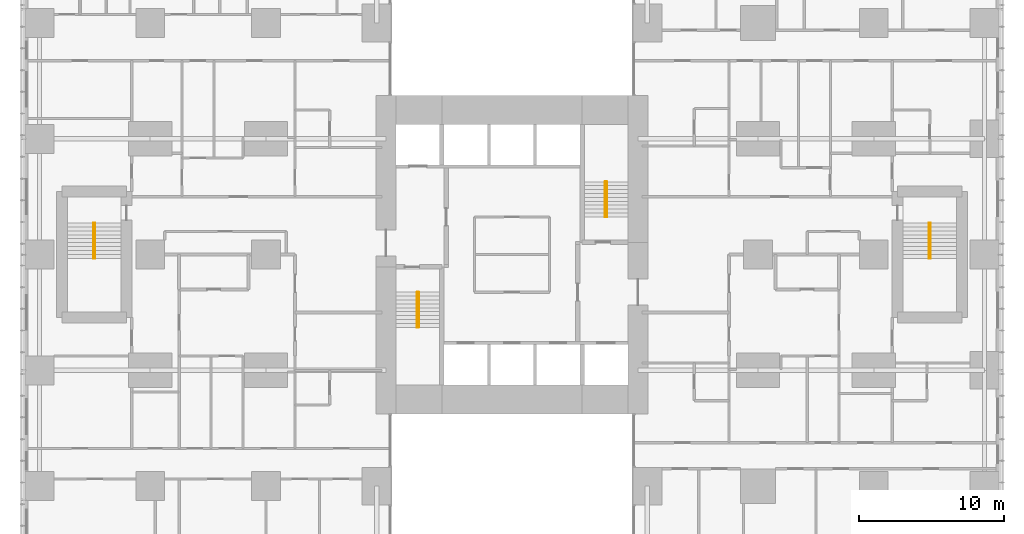
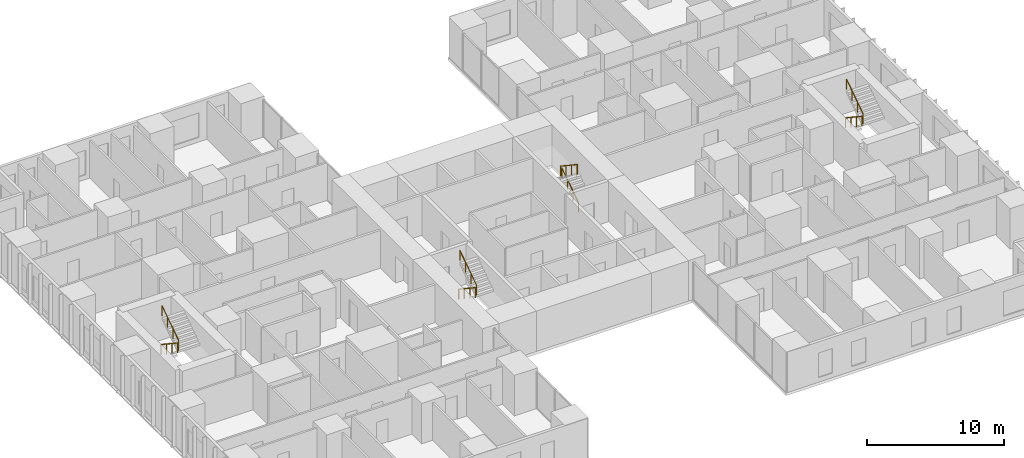
# One storey, part 20 of 20: 8 railings.
"""IFC4 building model written with IfcOpenShell, lengths in metres."""

from ifc_helpers import new_model, si_unit, direction, frame, origin, origin_2d, place, context, subcontext, project, spatial, circle, extrude, material, type_object, element, save


model = new_model("IFC4")

# Units and contexts
model_context = context("Model", 3, precision=1e-05, world=origin(), true_north=direction((0.0, 1.0)))
body_context = subcontext(model_context, "Body", "Model", "MODEL_VIEW")
ifc_project = project(units=[si_unit("LENGTHUNIT", "METRE"), si_unit("AREAUNIT", "SQUARE_METRE"), si_unit("VOLUMEUNIT", "CUBIC_METRE"), si_unit("PLANEANGLEUNIT", "RADIAN"), si_unit("MASSUNIT", "GRAM", prefix="KILO")], contexts=[model_context])

# Site, building, storey
site_placement = place(None, origin())
site = spatial("IfcSite", under=ifc_project, at=site_placement, CompositionType="ELEMENT")
building_placement = place(site_placement, origin())
building = spatial("IfcBuilding", under=site, at=building_placement, Name="Cleftline Residences", CompositionType="ELEMENT")
storey_placement = place(building_placement, frame((0.0, 0.0, 117.800048828125)))
storey = spatial("IfcBuildingStorey", under=building, at=storey_placement, Name="L30", CompositionType="ELEMENT", Elevation=117.800048828125)

# Railings
ifc_material = material(Name="Stainless steel", Category="steel")
railing_type = type_object("IfcRailingType", Name="HANDRAIL 900", PredefinedType="HANDRAIL", material=ifc_material)
railing_1_placement = place(storey_placement, frame((26.449951171875, 21.39990234375, 0.179931640625)))
element("IfcRailing", 1, at=railing_1_placement, inside=storey, type_object=railing_type, Name="Stair handrail", PredefinedType="HANDRAIL", context=body_context, shape_type="SweptSolid", body=[
    extrude(circle(Radius=0.02392578125, at=origin_2d()), frame((0.0, 0.0, 0.8759765625), z_axis=(0.0, -0.832024571796, 0.554738778101), x_axis=(1.0, 0.0, 0.0)), (0.0, 0.0, 1.0), 2.92041015625),
    extrude(circle(Radius=0.02099609375, at=origin_2d()), origin(), (0.0, 0.0, 1.0), 0.851806640625),
    extrude(circle(Radius=0.02099609375, at=origin_2d()), frame((0.0, -0.81005859375, 0.5400390625)), (0.0, 0.0, 1.0), 0.851806640625),
    extrude(circle(Radius=0.02099609375, at=origin_2d()), frame((0.0, -1.619873046875, 1.080078125)), (0.0, 0.0, 1.0), 0.851806640625),
    extrude(circle(Radius=0.02099609375, at=origin_2d()), frame((0.0, -2.429931640625, 1.6201171875)), (0.0, 0.0, 1.0), 0.851806640625),
])
railing_2_placement = place(storey_placement, frame((26.550048828125, 18.969970703125, 1.97998046875)))
element("IfcRailing", 2, at=railing_2_placement, inside=storey, type_object=railing_type, Name="Stair handrail", PredefinedType="HANDRAIL", context=body_context, shape_type="SweptSolid", body=[
    extrude(circle(Radius=0.02392578125, at=origin_2d()), frame((0.0, 0.0, 0.8759765625), z_axis=(0.0, 0.832063155534, 0.554680903946), x_axis=(-1.0, 0.0, 0.0)), (0.0, 0.0, 1.0), 2.92041015625),
    extrude(circle(Radius=0.02099609375, at=origin_2d()), origin(), (0.0, 0.0, 1.0), 0.851806640625),
    extrude(circle(Radius=0.02099609375, at=origin_2d()), frame((0.0, 0.81005859375, 0.5400390625)), (0.0, 0.0, 1.0), 0.851806640625),
    extrude(circle(Radius=0.02099609375, at=origin_2d()), frame((0.0, 1.619873046875, 1.079833984375)), (0.0, 0.0, 1.0), 0.851806640625),
    extrude(circle(Radius=0.02099609375, at=origin_2d()), frame((0.0, 2.429931640625, 1.619873046875)), (0.0, 0.0, 1.0), 0.851806640625),
])
railing_3_placement = place(storey_placement, frame((39.550048828125, 26.60009765625, 0.179931640625)))
element("IfcRailing", 3, at=railing_3_placement, inside=storey, type_object=railing_type, Name="Stair handrail", PredefinedType="HANDRAIL", context=body_context, shape_type="SweptSolid", body=[
    extrude(circle(Radius=0.02392578125, at=origin_2d()), frame((0.0, 0.0, 0.8759765625), z_axis=(0.0, 0.832024571796, 0.554738778101), x_axis=(-1.0, 0.0, 0.0)), (0.0, 0.0, 1.0), 2.92041015625),
    extrude(circle(Radius=0.02099609375, at=origin_2d()), origin(), (0.0, 0.0, 1.0), 0.851806640625),
    extrude(circle(Radius=0.02099609375, at=origin_2d()), frame((0.0, 0.81005859375, 0.5400390625)), (0.0, 0.0, 1.0), 0.851806640625),
    extrude(circle(Radius=0.02099609375, at=origin_2d()), frame((0.0, 1.619873046875, 1.080078125)), (0.0, 0.0, 1.0), 0.851806640625),
    extrude(circle(Radius=0.02099609375, at=origin_2d()), frame((0.0, 2.429931640625, 1.6201171875)), (0.0, 0.0, 1.0), 0.851806640625),
])
railing_4_placement = place(storey_placement, frame((39.449951171875, 29.030029296875, 1.97998046875)))
element("IfcRailing", 4, at=railing_4_placement, inside=storey, type_object=railing_type, Name="Stair handrail", PredefinedType="HANDRAIL", context=body_context, shape_type="SweptSolid", body=[
    extrude(circle(Radius=0.02392578125, at=origin_2d()), frame((0.0, 0.0, 0.8759765625), z_axis=(0.0, -0.832063155534, 0.554680903946), x_axis=(1.0, 0.0, 0.0)), (0.0, 0.0, 1.0), 2.92041015625),
    extrude(circle(Radius=0.02099609375, at=origin_2d()), origin(), (0.0, 0.0, 1.0), 0.851806640625),
    extrude(circle(Radius=0.02099609375, at=origin_2d()), frame((0.0, -0.81005859375, 0.5400390625)), (0.0, 0.0, 1.0), 0.851806640625),
    extrude(circle(Radius=0.02099609375, at=origin_2d()), frame((0.0, -1.619873046875, 1.079833984375)), (0.0, 0.0, 1.0), 0.851806640625),
    extrude(circle(Radius=0.02099609375, at=origin_2d()), frame((0.0, -2.429931640625, 1.619873046875)), (0.0, 0.0, 1.0), 0.851806640625),
])
railing_5_placement = place(storey_placement, frame((61.824951171875, 26.175048828125, 0.179931640625)))
element("IfcRailing", 5, at=railing_5_placement, inside=storey, type_object=railing_type, Name="Stair handrail", PredefinedType="HANDRAIL", context=body_context, shape_type="SweptSolid", body=[
    extrude(circle(Radius=0.02392578125, at=origin_2d()), frame((0.0, 0.0, 0.8759765625), z_axis=(0.0, -0.832024571796, 0.554738778101), x_axis=(1.0, 0.0, 0.0)), (0.0, 0.0, 1.0), 2.92041015625),
    extrude(circle(Radius=0.02099609375, at=origin_2d()), origin(), (0.0, 0.0, 1.0), 0.851806640625),
    extrude(circle(Radius=0.02099609375, at=origin_2d()), frame((0.0, -0.81005859375, 0.5400390625)), (0.0, 0.0, 1.0), 0.851806640625),
    extrude(circle(Radius=0.02099609375, at=origin_2d()), frame((0.0, -1.619873046875, 1.080078125)), (0.0, 0.0, 1.0), 0.851806640625),
    extrude(circle(Radius=0.02099609375, at=origin_2d()), frame((0.0, -2.429931640625, 1.6201171875)), (0.0, 0.0, 1.0), 0.851806640625),
])
railing_6_placement = place(storey_placement, frame((61.925048828125, 23.7451171875, 1.97998046875)))
element("IfcRailing", 6, at=railing_6_placement, inside=storey, type_object=railing_type, Name="Stair handrail", PredefinedType="HANDRAIL", context=body_context, shape_type="SweptSolid", body=[
    extrude(circle(Radius=0.02392578125, at=origin_2d()), frame((0.0, 0.0, 0.8759765625), z_axis=(0.0, 0.832063155534, 0.554680903946), x_axis=(-1.0, 0.0, 0.0)), (0.0, 0.0, 1.0), 2.92041015625),
    extrude(circle(Radius=0.02099609375, at=origin_2d()), origin(), (0.0, 0.0, 1.0), 0.851806640625),
    extrude(circle(Radius=0.02099609375, at=origin_2d()), frame((0.0, 0.81005859375, 0.5400390625)), (0.0, 0.0, 1.0), 0.851806640625),
    extrude(circle(Radius=0.02099609375, at=origin_2d()), frame((0.0, 1.619873046875, 1.079833984375)), (0.0, 0.0, 1.0), 0.851806640625),
    extrude(circle(Radius=0.02099609375, at=origin_2d()), frame((0.0, 2.429931640625, 1.619873046875)), (0.0, 0.0, 1.0), 0.851806640625),
])
railing_7_placement = place(storey_placement, frame((4.074951171875, 26.175048828125, 0.179931640625)))
element("IfcRailing", 7, at=railing_7_placement, inside=storey, type_object=railing_type, Name="Stair handrail", PredefinedType="HANDRAIL", context=body_context, shape_type="SweptSolid", body=[
    extrude(circle(Radius=0.02392578125, at=origin_2d()), frame((0.0, 0.0, 0.8759765625), z_axis=(0.0, -0.832024571796, 0.554738778101), x_axis=(1.0, 0.0, 0.0)), (0.0, 0.0, 1.0), 2.92041015625),
    extrude(circle(Radius=0.02099609375, at=origin_2d()), origin(), (0.0, 0.0, 1.0), 0.851806640625),
    extrude(circle(Radius=0.02099609375, at=origin_2d()), frame((0.0, -0.81005859375, 0.5400390625)), (0.0, 0.0, 1.0), 0.851806640625),
    extrude(circle(Radius=0.02099609375, at=origin_2d()), frame((0.0, -1.619873046875, 1.080078125)), (0.0, 0.0, 1.0), 0.851806640625),
    extrude(circle(Radius=0.02099609375, at=origin_2d()), frame((0.0, -2.429931640625, 1.6201171875)), (0.0, 0.0, 1.0), 0.851806640625),
])
railing_8_placement = place(storey_placement, frame((4.175048828125, 23.7451171875, 1.97998046875)))
element("IfcRailing", 8, at=railing_8_placement, inside=storey, type_object=railing_type, Name="Stair handrail", PredefinedType="HANDRAIL", context=body_context, shape_type="SweptSolid", body=[
    extrude(circle(Radius=0.02392578125, at=origin_2d()), frame((0.0, 0.0, 0.8759765625), z_axis=(0.0, 0.832063155534, 0.554680903946), x_axis=(-1.0, 0.0, 0.0)), (0.0, 0.0, 1.0), 2.92041015625),
    extrude(circle(Radius=0.02099609375, at=origin_2d()), origin(), (0.0, 0.0, 1.0), 0.851806640625),
    extrude(circle(Radius=0.02099609375, at=origin_2d()), frame((0.0, 0.81005859375, 0.5400390625)), (0.0, 0.0, 1.0), 0.851806640625),
    extrude(circle(Radius=0.02099609375, at=origin_2d()), frame((0.0, 1.619873046875, 1.079833984375)), (0.0, 0.0, 1.0), 0.851806640625),
    extrude(circle(Radius=0.02099609375, at=origin_2d()), frame((0.0, 2.429931640625, 1.619873046875)), (0.0, 0.0, 1.0), 0.851806640625),
])

save(model, "model.ifc")
